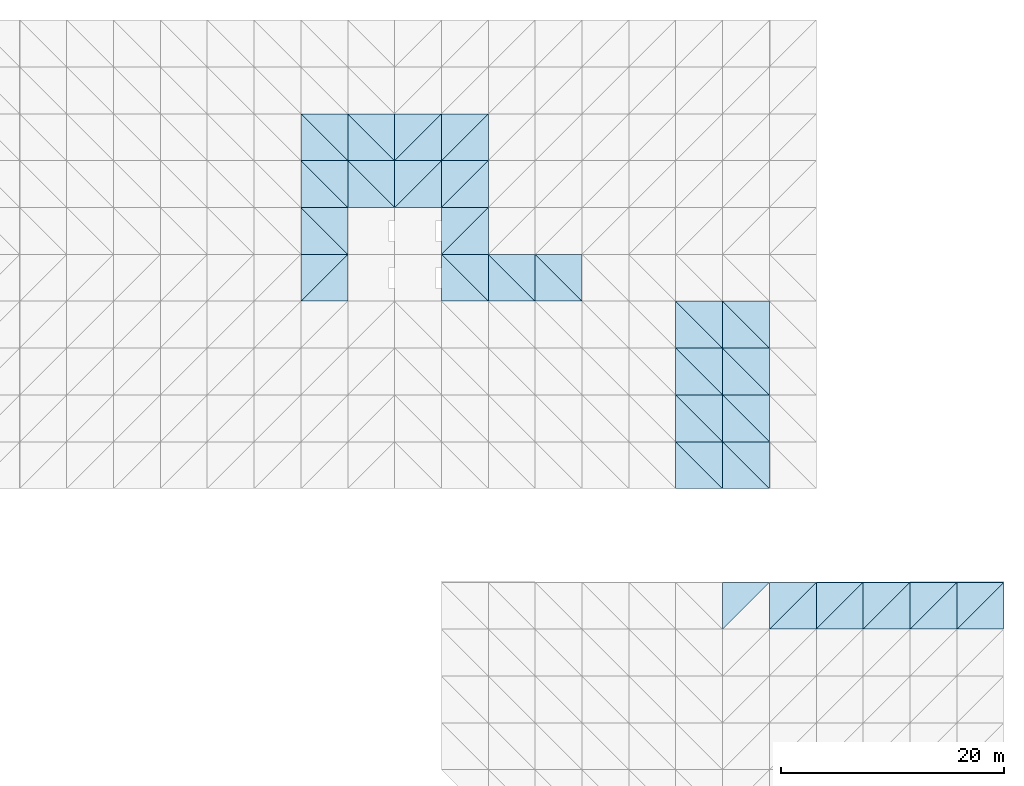
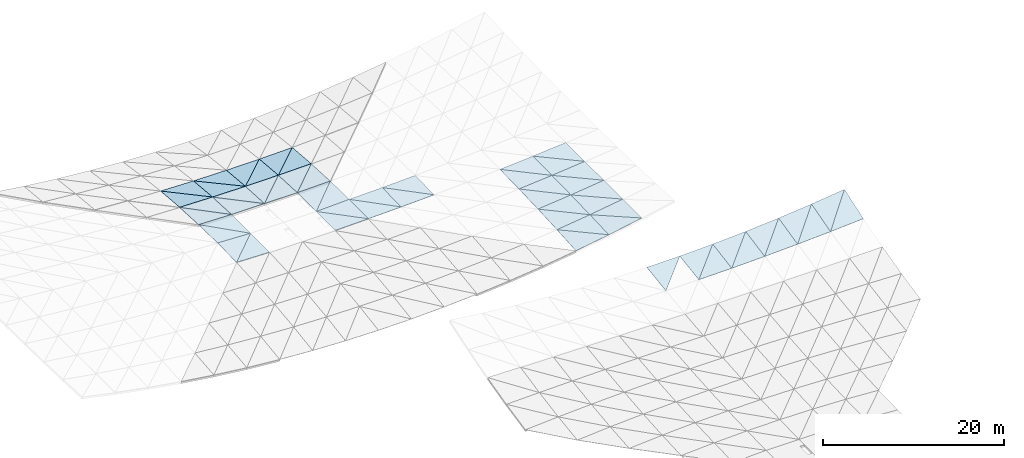
# One storey, part 51 of 64: 55 roofs.
"""IFC4 building model written with IfcOpenShell, lengths in metres."""

from ifc_helpers import new_model, si_unit, direction, frame, origin, place, context, subcontext, project, spatial, polyline, outline, extrude, material, layer, layer_set, type_object, element, save


model = new_model("IFC4")

# Units and contexts
model_context = context("Model", 3, precision=1e-05, world=origin(), true_north=direction((0.0, 1.0)))
body_context = subcontext(model_context, "Body", "Model", "MODEL_VIEW")
ifc_project = project(units=[si_unit("LENGTHUNIT", "METRE"), si_unit("AREAUNIT", "SQUARE_METRE"), si_unit("VOLUMEUNIT", "CUBIC_METRE"), si_unit("PLANEANGLEUNIT", "RADIAN"), si_unit("MASSUNIT", "GRAM", prefix="KILO")], contexts=[model_context])

# Site, building, storey
site_placement = place(None, origin())
site = spatial("IfcSite", under=ifc_project, at=site_placement, CompositionType="ELEMENT")
building_placement = place(site_placement, origin())
building = spatial("IfcBuilding", under=site, at=building_placement, Name="Cumbredor Promenade Congress Hotel", CompositionType="ELEMENT")
storey_placement = place(building_placement, frame((0.0, 0.0, 18.47998046875)))
storey = spatial("IfcBuildingStorey", under=building, at=storey_placement, Name="L05", CompositionType="ELEMENT", Elevation=18.47998046875)

# Roofs
ifc_material = material(Name="Standing-seam zinc-aluminium roofing", Category="aluminium")
ifc_layer = layer(ifc_material, 0.050048828125, Name="Standing-seam zinc-aluminium roofing", Category="aluminium")
ifc_layer_set = layer_set([ifc_layer], Name="Standing-seam zinc-aluminium roofing")
roof_type = type_object("IfcRoofType", Name="Sweeping Pavilion Standing-Seam Roof Skin 50mm", PredefinedType="FREEFORM", material=ifc_layer_set)
roof_1_placement = place(storey_placement, frame((163.800048828125, 67.199951171875, 2.449951171875), z_axis=(-0.01109796617, -0.146056135088, 0.989214051937), x_axis=(0.70268691564, 0.70268691564, 0.111634211501)))
element("IfcRoof", 1, at=roof_1_placement, inside=storey, type_object=roof_type, Name="Grand Ballroom Pavilion Standing-Seam Roof Skin 7.17.2", PredefinedType="FREEFORM", context=body_context, shape_type="SweptSolid", body=[
    extrude(outline(polyline([(0.0, 0.0), (5.976987870979672, 2.636779683484747e-16), (3.0204770280669506, 2.983429854259513), (0.0, 0.0)])), origin(), (0.0, 0.0, -1.0), 0.050048828125),
])
roof_2_placement = place(storey_placement, frame((168.0, 67.199951171875, 2.47509765625), z_axis=(-0.017651502768, -0.166371144595, 0.985905201678), x_axis=(0.999839764528, 0.0, 0.017900985146)))
element("IfcRoof", 2, at=roof_2_placement, inside=storey, type_object=roof_type, Name="Grand Ballroom Pavilion Standing-Seam Roof Skin 8.17.1", PredefinedType="FREEFORM", context=body_context, shape_type="SweptSolid", body=[
    extrude(outline(polyline([(0.0, 0.0), (4.200624260887441, 0.0), (4.213311409295685, 4.259312339124872), (0.0, 0.0)])), origin(), (0.0, 0.0, -1.0), 0.050048828125),
])
roof_3_placement = place(storey_placement, frame((168.0, 67.199951171875, 2.47509765625), z_axis=(-0.033366695852, -0.151040292754, 0.987964317965), x_axis=(0.701027278305, 0.701027278305, 0.130849188551)))
element("IfcRoof", 3, at=roof_3_placement, inside=storey, type_object=roof_type, Name="Grand Ballroom Pavilion Standing-Seam Roof Skin 8.17.2", PredefinedType="FREEFORM", context=body_context, shape_type="SweptSolid", body=[
    extrude(outline(polyline([(0.0, 0.0), (5.99113800825207, 5.134781488891349e-16), (3.028297274065045, 2.980148458293866), (0.0, 0.0)])), origin(), (0.0, 0.0, -1.0), 0.050048828125),
])
roof_4_placement = place(storey_placement, frame((172.199951171875, 67.199951171875, 2.55029296875), z_axis=(-0.0292557931, -0.191445803973, 0.981067073503), x_axis=(0.999555668784, 0.0, 0.02980713004)))
element("IfcRoof", 4, at=roof_4_placement, inside=storey, type_object=roof_type, Name="Grand Ballroom Pavilion Standing-Seam Roof Skin 9.17.1", PredefinedType="FREEFORM", context=body_context, shape_type="SweptSolid", body=[
    extrude(outline(polyline([(0.0, 0.0), (4.201818170851172, -3.469446951953614e-18), (4.2262475008184275, 4.279100905380816), (0.0, 0.0)])), origin(), (0.0, 0.0, -1.0), 0.050048828125),
])
roof_5_placement = place(storey_placement, frame((172.199951171875, 67.199951171875, 2.55029296875), z_axis=(-0.055342530466, -0.166142053717, 0.984547623179), x_axis=(0.698326858274, 0.698326858274, 0.157096142622)))
element("IfcRoof", 5, at=roof_5_placement, inside=storey, type_object=roof_type, Name="Grand Ballroom Pavilion Standing-Seam Roof Skin 9.17.2", PredefinedType="FREEFORM", context=body_context, shape_type="SweptSolid", body=[
    extrude(outline(polyline([(0.0, 0.0), (6.014305653739666, 6.938893903907228e-17), (3.044279063700337, 2.978970887449542), (0.0, 0.0)])), origin(), (0.0, 0.0, -1.0), 0.050048828125),
])
roof_6_placement = place(storey_placement, frame((176.39990234375, 67.199951171875, 2.675537109375), z_axis=(-0.040734177144, -0.225804932058, 0.973320532749), x_axis=(0.999125406809, 0.0, 0.041814130022)))
element("IfcRoof", 6, at=roof_6_placement, inside=storey, type_object=roof_type, Name="Grand Ballroom Pavilion Standing-Seam Roof Skin 10.17.1", PredefinedType="FREEFORM", context=body_context, shape_type="SweptSolid", body=[
    extrude(outline(polyline([(0.0, 0.0), (4.203871990320178, 0.0), (4.244614224919461, 4.311301140770926), (0.0, 0.0)])), origin(), (0.0, 0.0, -1.0), 0.050048828125),
])
roof_7_placement = place(storey_placement, frame((176.39990234375, 67.199951171875, 2.675537109375), z_axis=(-0.077016188966, -0.190958918263, 0.978572019921), x_axis=(0.694232294544, 0.694191941586, 0.190102786538)))
element("IfcRoof", 7, at=roof_7_placement, inside=storey, type_object=roof_type, Name="Grand Ballroom Pavilion Standing-Seam Roof Skin 10.17.2", PredefinedType="FREEFORM", context=body_context, shape_type="SweptSolid", body=[
    extrude(outline(polyline([(0.0, 0.0), (6.050129539505856, -2.914335439641036e-16), (3.0713767152118114, 2.979588297709647), (0.0, 0.0)])), origin(), (0.0, 0.0, -1.0), 0.050048828125),
])
roof_8_placement = place(storey_placement, frame((180.60009765625, 67.199951171875, 2.851318359375), z_axis=(-0.051660124766, -0.268811558307, 0.961806413801), x_axis=(0.998560647635, 0.0, 0.053634252073)))
element("IfcRoof", 8, at=roof_8_placement, inside=storey, type_object=roof_type, Name="Grand Ballroom Pavilion Standing-Seam Roof Skin 11.17.1", PredefinedType="FREEFORM", context=body_context, shape_type="SweptSolid", body=[
    extrude(outline(polyline([(0.0, 0.0), (4.206005095257487, 6.938893903907228e-18), (4.268962488804291, 4.360447073382843), (0.0, 0.0)])), origin(), (0.0, 0.0, -1.0), 0.050048828125),
])
roof_9_placement = place(storey_placement, frame((180.60009765625, 67.199951171875, 2.851318359375), z_axis=(-0.098109442037, -0.224902230425, 0.969429483837), x_axis=(0.688261938652, 0.688261938652, 0.229327293632)))
element("IfcRoof", 9, at=roof_9_placement, inside=storey, type_object=roof_type, Name="Grand Ballroom Pavilion Standing-Seam Roof Skin 11.17.2", PredefinedType="FREEFORM", context=body_context, shape_type="SweptSolid", body=[
    extrude(outline(polyline([(0.0, 0.0), (6.102256911224823, -2.0816681711721685e-16), (3.11411507800897, 2.9818223852218324), (0.0, 0.0)])), origin(), (0.0, 0.0, -1.0), 0.050048828125),
])
roof_10_placement = place(storey_placement, frame((184.800048828125, 67.199951171875, 3.076904296875), z_axis=(-0.06211809951, -0.31911112182, 0.945679350332), x_axis=(0.997849616578, 0.0, 0.065544966967)))
element("IfcRoof", 10, at=roof_10_placement, inside=storey, type_object=roof_type, Name="Grand Ballroom Pavilion Standing-Seam Roof Skin 12.17.1", PredefinedType="FREEFORM", context=body_context, shape_type="SweptSolid", body=[
    extrude(outline(polyline([(0.0, 0.0), (4.20900214029975, -2.7755575615628914e-17), (4.301894848611143, 4.431649760600898), (0.0, 0.0)])), origin(), (0.0, 0.0, -1.0), 0.050048828125),
])
roof_11_placement = place(storey_placement, frame((184.800048828125, 67.199951171875, 3.076904296875), z_axis=(-0.118242562971, -0.267282671727, 0.956336065249), x_axis=(0.680018566113, 0.680018566113, 0.274134090333)))
element("IfcRoof", 11, at=roof_11_placement, inside=storey, type_object=roof_type, Name="Grand Ballroom Pavilion Standing-Seam Roof Skin 12.17.2", PredefinedType="FREEFORM", context=body_context, shape_type="SweptSolid", body=[
    extrude(outline(polyline([(0.0, 0.0), (6.176230151892098, -2.498001805406602e-16), (3.1778310788979853, 2.986444700168626), (0.0, 0.0)])), origin(), (0.0, 0.0, -1.0), 0.050048828125),
])
roof_12_placement = place(storey_placement, frame((126.0, 96.60009765625, 1.69140625), z_axis=(0.023187393092, 0.0, 0.999731136257), x_axis=(0.999731136257, 0.0, -0.023187393092)))
element("IfcRoof", 12, at=roof_12_placement, inside=storey, type_object=roof_type, Name="Pre-Function and Breakout Meeting Forum Standing-Seam Roof Skin 10.5.1", PredefinedType="FREEFORM", context=body_context, shape_type="SweptSolid", body=[
    extrude(outline(polyline([(0.0, 0.0), (4.201080690154269, 0.0), (4.201080690154269, 4.199951171874999), (0.0, 0.0)])), origin(), (0.0, 0.0, -1.0), 0.050048828125),
])
roof_13_placement = place(storey_placement, frame((126.0, 96.60009765625, 1.69140625), z_axis=(0.040129277261, -0.016957668539, 0.999050588601), x_axis=(0.707011704328, 0.707011704328, -0.016398167182)))
element("IfcRoof", 13, at=roof_13_placement, inside=storey, type_object=roof_type, Name="Pre-Function and Breakout Meeting Forum Standing-Seam Roof Skin 10.5.2", PredefinedType="FREEFORM", context=body_context, shape_type="SweptSolid", body=[
    extrude(outline(polyline([(0.0, 0.0), (5.94042665229706, -1.48318857196017e-16), (2.968245626155902, 2.9722365113450633), (0.0, 0.0)])), origin(), (0.0, 0.0, -1.0), 0.050048828125),
])
roof_14_placement = place(storey_placement, frame((126.0, 100.800048828125, 1.7626953125), z_axis=(0.040129277261, 0.016957668539, 0.999050588601), x_axis=(0.999194264342, 0.0, -0.040135048344)))
element("IfcRoof", 14, at=roof_14_placement, inside=storey, type_object=roof_type, Name="Pre-Function and Breakout Meeting Forum Standing-Seam Roof Skin 10.6.1", PredefinedType="FREEFORM", context=body_context, shape_type="SweptSolid", body=[
    extrude(outline(polyline([(0.0, 0.0), (4.203337951143852, 4.336808689942018e-19), (0.002861189969830369, 4.200555176421122), (0.0, 0.0)])), origin(), (0.0, 0.0, -1.0), 0.050048828125),
])
roof_15_placement = place(storey_placement, frame((130.199951171875, 100.800048828125, 1.593994140625), z_axis=(0.023187393092, 0.0, 0.999731136257), x_axis=(0.0, 1.0, 0.0)))
element("IfcRoof", 15, at=roof_15_placement, inside=storey, type_object=roof_type, Name="Pre-Function and Breakout Meeting Forum Standing-Seam Roof Skin 10.6.2", PredefinedType="FREEFORM", context=body_context, shape_type="SweptSolid", body=[
    extrude(outline(polyline([(0.0, 0.0), (4.199951171875, 0.0), (4.199951171875, 4.201080690154269), (0.0, 0.0)])), origin(), (0.0, 0.0, -1.0), 0.050048828125),
])
roof_16_placement = place(storey_placement, frame((126.0, 105.0, 1.69140625), z_axis=(0.023157405261, 0.050841822076, 0.998438202249), x_axis=(0.999731136257, 0.0, -0.023187393092)))
element("IfcRoof", 16, at=roof_16_placement, inside=storey, type_object=roof_type, Name="Pre-Function and Breakout Meeting Forum Standing-Seam Roof Skin 10.7.1", PredefinedType="FREEFORM", context=body_context, shape_type="SweptSolid", body=[
    extrude(outline(polyline([(0.0, 0.0), (4.201080690154269, -8.673617379884035e-19), (0.004959022546103156, 4.2053899258117236), (0.0, 0.0)])), origin(), (0.0, 0.0, -1.0), 0.050048828125),
])
roof_17_placement = place(storey_placement, frame((130.199951171875, 105.0, 1.593994140625), z_axis=(0.019911822288, 0.047602607219, 0.998667868272), x_axis=(0.0, 0.998865903413, -0.047612046782)))
element("IfcRoof", 17, at=roof_17_placement, inside=storey, type_object=roof_type, Name="Pre-Function and Breakout Meeting Forum Standing-Seam Roof Skin 10.7.2", PredefinedType="FREEFORM", context=body_context, shape_type="SweptSolid", body=[
    extrude(outline(polyline([(0.0, 0.0), (4.204719730170034, 8.673617379884035e-19), (4.200732686213397, 4.200784019259721), (0.0, 0.0)])), origin(), (0.0, 0.0, -1.0), 0.050048828125),
])
roof_18_placement = place(storey_placement, frame((126.0, 109.199951171875, 1.4775390625), z_axis=(0.019863140669, 0.084490735382, 0.996226265101), x_axis=(0.999801289689, 0.0, -0.019934420878)))
element("IfcRoof", 18, at=roof_18_placement, inside=storey, type_object=roof_type, Name="Pre-Function and Breakout Meeting Forum Standing-Seam Roof Skin 10.8.1", PredefinedType="FREEFORM", context=body_context, shape_type="SweptSolid", body=[
    extrude(outline(polyline([(0.0, 0.0), (4.200785911348895, 0.0), (0.007100664077375966, 4.215022977582562), (0.0, 0.0)])), origin(), (0.0, 0.0, -1.0), 0.050048828125),
])
roof_19_placement = place(storey_placement, frame((130.199951171875, 109.199951171875, 1.393798828125), z_axis=(0.024021795727, 0.088620166887, 0.995775787691), x_axis=(0.0, 0.996063216643, -0.088645746944)))
element("IfcRoof", 19, at=roof_19_placement, inside=storey, type_object=roof_type, Name="Pre-Function and Breakout Meeting Forum Standing-Seam Roof Skin 10.8.2", PredefinedType="FREEFORM", context=body_context, shape_type="SweptSolid", body=[
    extrude(outline(polyline([(0.0, 0.0), (4.216550818964069, 0.0), (4.207569377318117, 4.201163480488064), (0.0, 0.0)])), origin(), (0.0, 0.0, -1.0), 0.050048828125),
])
roof_20_placement = place(storey_placement, frame((130.199951171875, 105.0, 1.593994140625), z_axis=(0.0, 0.047612046782, 0.998865903413), x_axis=(1.0, 0.0, 0.0)))
element("IfcRoof", 20, at=roof_20_placement, inside=storey, type_object=roof_type, Name="Pre-Function and Breakout Meeting Forum Standing-Seam Roof Skin 11.7.1", PredefinedType="FREEFORM", context=body_context, shape_type="SweptSolid", body=[
    extrude(outline(polyline([(0.0, 0.0), (4.199951171875, 0.0), (0.0, 4.204719730170034), (0.0, 0.0)])), origin(), (0.0, 0.0, -1.0), 0.050048828125),
])
roof_21_placement = place(storey_placement, frame((134.39990234375, 105.0, 1.593994140625), z_axis=(0.006616860946, 0.054211825646, 0.998507533828), x_axis=(0.0, 0.998529393298, -0.054213012459)))
element("IfcRoof", 21, at=roof_21_placement, inside=storey, type_object=roof_type, Name="Pre-Function and Breakout Meeting Forum Standing-Seam Roof Skin 11.7.2", PredefinedType="FREEFORM", context=body_context, shape_type="SweptSolid", body=[
    extrude(outline(polyline([(0.0, 0.0), (4.206136744761381, 0.0), (4.204627886504452, 4.200043117807773), (0.0, 0.0)])), origin(), (0.0, 0.0, -1.0), 0.050048828125),
])
roof_22_placement = place(storey_placement, frame((130.199951171875, 109.199951171875, 1.393798828125), z_axis=(0.006600519278, 0.088643815915, 0.996041518736), x_axis=(0.999978043808, 0.0, -0.00662660565)))
element("IfcRoof", 22, at=roof_22_placement, inside=storey, type_object=roof_type, Name="Pre-Function and Breakout Meeting Forum Standing-Seam Roof Skin 11.8.1", PredefinedType="FREEFORM", context=body_context, shape_type="SweptSolid", body=[
    extrude(outline(polyline([(0.0, 0.0), (4.20004338883513, 4.336808689942018e-19), (0.0024768880004626044, 4.216550091476726), (0.0, 0.0)])), origin(), (0.0, 0.0, -1.0), 0.050048828125),
])
roof_23_placement = place(storey_placement, frame((134.39990234375, 109.199951171875, 1.365966796875), z_axis=(0.008046875416, 0.090078691709, 0.995902142329), x_axis=(0.0, 0.995934387325, -0.090081608247)))
element("IfcRoof", 23, at=roof_23_placement, inside=storey, type_object=roof_type, Name="Pre-Function and Breakout Meeting Forum Standing-Seam Roof Skin 11.8.2", PredefinedType="FREEFORM", context=body_context, shape_type="SweptSolid", body=[
    extrude(outline(polyline([(0.0, 0.0), (4.2170962518499735, 4.336808689942018e-19), (4.214039283210725, 4.200087156526473), (0.0, 0.0)])), origin(), (0.0, 0.0, -1.0), 0.050048828125),
])
roof_24_placement = place(storey_placement, frame((134.39990234375, 105.0, 1.593994140625), z_axis=(0.0, 0.047612046782, 0.998865903413), x_axis=(1.0, 0.0, 0.0)))
element("IfcRoof", 24, at=roof_24_placement, inside=storey, type_object=roof_type, Name="Pre-Function and Breakout Meeting Forum Standing-Seam Roof Skin 12.7.1", PredefinedType="FREEFORM", context=body_context, shape_type="SweptSolid", body=[
    extrude(outline(polyline([(0.0, 0.0), (4.2001953125, 0.0), (4.2001953125, 4.204719730170034), (0.0, 0.0)])), origin(), (0.0, 0.0, -1.0), 0.050048828125),
])
roof_25_placement = place(storey_placement, frame((134.39990234375, 105.0, 1.593994140625), z_axis=(-0.006616476351, 0.054211825784, 0.998507536369), x_axis=(0.706726038844, 0.706684959675, -0.033684919313)))
element("IfcRoof", 25, at=roof_25_placement, inside=storey, type_object=roof_type, Name="Pre-Function and Breakout Meeting Forum Standing-Seam Roof Skin 12.7.2", PredefinedType="FREEFORM", context=body_context, shape_type="SweptSolid", body=[
    extrude(outline(polyline([(0.0, 0.0), (5.943173283055789, 2.393918396847994e-16), (2.9757234072067265, 2.9726514291847033), (0.0, 0.0)])), origin(), (0.0, 0.0, -1.0), 0.050048828125),
])
roof_26_placement = place(storey_placement, frame((134.39990234375, 109.199951171875, 1.365966796875), z_axis=(-0.006600135633, 0.088643816139, 0.996041521258), x_axis=(0.99997804636, 0.0, 0.006626220489)))
element("IfcRoof", 26, at=roof_26_placement, inside=storey, type_object=roof_type, Name="Pre-Function and Breakout Meeting Forum Standing-Seam Roof Skin 12.8.1", PredefinedType="FREEFORM", context=body_context, shape_type="SweptSolid", body=[
    extrude(outline(polyline([(0.0, 0.0), (4.200287524100044, 0.0), (4.197810780064894, 4.216550091561293), (0.0, 0.0)])), origin(), (0.0, 0.0, -1.0), 0.050048828125),
])
roof_27_placement = place(storey_placement, frame((134.39990234375, 109.199951171875, 1.365966796875), z_axis=(-0.008046407714, 0.090078692048, 0.995902146078), x_axis=(0.705931030968, 0.705889998008, -0.05814370326)))
element("IfcRoof", 27, at=roof_27_placement, inside=storey, type_object=roof_type, Name="Pre-Function and Breakout Meeting Forum Standing-Seam Roof Skin 12.8.2", PredefinedType="FREEFORM", context=body_context, shape_type="SweptSolid", body=[
    extrude(outline(polyline([(0.0, 0.0), (5.949866386724543, -6.487865800153259e-16), (2.9867913178735432, 2.9770754812134537), (0.0, 0.0)])), origin(), (0.0, 0.0, -1.0), 0.050048828125),
])
roof_28_placement = place(storey_placement, frame((138.60009765625, 96.60009765625, 1.593994140625), z_axis=(-0.023187393092, 0.0, 0.999731136257), x_axis=(0.999731136257, 0.0, 0.023187393092)))
element("IfcRoof", 28, at=roof_28_placement, inside=storey, type_object=roof_type, Name="Pre-Function and Breakout Meeting Forum Standing-Seam Roof Skin 13.5.1", PredefinedType="FREEFORM", context=body_context, shape_type="SweptSolid", body=[
    extrude(outline(polyline([(0.0, 0.0), (4.201080690154269, 0.0), (0.0, 4.199951171874999), (0.0, 0.0)])), origin(), (0.0, 0.0, -1.0), 0.050048828125),
])
roof_29_placement = place(storey_placement, frame((142.800048828125, 96.60009765625, 1.69140625), z_axis=(-0.040129277261, -0.016957668539, 0.999050588601), x_axis=(0.0, 0.999855976455, 0.016971339018)))
element("IfcRoof", 29, at=roof_29_placement, inside=storey, type_object=roof_type, Name="Pre-Function and Breakout Meeting Forum Standing-Seam Roof Skin 13.5.2", PredefinedType="FREEFORM", context=body_context, shape_type="SweptSolid", body=[
    extrude(outline(polyline([(0.0, 0.0), (4.200556150864587, 4.336808689942018e-19), (4.197693066083982, 4.203336976055063), (0.0, 0.0)])), origin(), (0.0, 0.0, -1.0), 0.050048828125),
])
roof_30_placement = place(storey_placement, frame((138.60009765625, 100.800048828125, 1.593994140625), z_axis=(-0.040129277261, 0.016957668539, 0.999050588601), x_axis=(0.999194264342, 0.0, 0.040135048344)))
element("IfcRoof", 30, at=roof_30_placement, inside=storey, type_object=roof_type, Name="Pre-Function and Breakout Meeting Forum Standing-Seam Roof Skin 13.6.1", PredefinedType="FREEFORM", context=body_context, shape_type="SweptSolid", body=[
    extrude(outline(polyline([(0.0, 0.0), (4.203337951143852, -4.336808689942018e-19), (4.200476761174022, 4.200555176421121), (0.0, 0.0)])), origin(), (0.0, 0.0, -1.0), 0.050048828125),
])
roof_31_placement = place(storey_placement, frame((138.60009765625, 100.800048828125, 1.593994140625), z_axis=(-0.023187393092, 0.0, 0.999731136257), x_axis=(0.707011704328, 0.707011704328, 0.016398167182)))
element("IfcRoof", 31, at=roof_31_placement, inside=storey, type_object=roof_type, Name="Pre-Function and Breakout Meeting Forum Standing-Seam Roof Skin 13.6.2", PredefinedType="FREEFORM", context=body_context, shape_type="SweptSolid", body=[
    extrude(outline(polyline([(0.0, 0.0), (5.94042665229706, 1.8648277366750676e-16), (2.9694146361210034, 2.9702132187646995), (0.0, 0.0)])), origin(), (0.0, 0.0, -1.0), 0.050048828125),
])
roof_32_placement = place(storey_placement, frame((138.60009765625, 105.0, 1.593994140625), z_axis=(-0.023157405261, 0.050841822076, 0.998438202249), x_axis=(0.999731136257, 0.0, 0.023187393092)))
element("IfcRoof", 32, at=roof_32_placement, inside=storey, type_object=roof_type, Name="Pre-Function and Breakout Meeting Forum Standing-Seam Roof Skin 13.7.1", PredefinedType="FREEFORM", context=body_context, shape_type="SweptSolid", body=[
    extrude(outline(polyline([(0.0, 0.0), (4.201080690154269, 8.673617379884035e-19), (4.196121667608166, 4.2053899258117236), (0.0, 0.0)])), origin(), (0.0, 0.0, -1.0), 0.050048828125),
])
roof_33_placement = place(storey_placement, frame((138.60009765625, 105.0, 1.593994140625), z_axis=(-0.019911822288, 0.047602607219, 0.998667868272), x_axis=(0.706970909739, 0.706970909739, -0.019602692783)))
element("IfcRoof", 33, at=roof_33_placement, inside=storey, type_object=roof_type, Name="Pre-Function and Breakout Meeting Forum Standing-Seam Roof Skin 13.7.2", PredefinedType="FREEFORM", context=body_context, shape_type="SweptSolid", body=[
    extrude(outline(polyline([(0.0, 0.0), (5.940769434802994, 1.2923689896027213e-16), (2.973167668049277, 2.9732040002239315), (0.0, 0.0)])), origin(), (0.0, 0.0, -1.0), 0.050048828125),
])
roof_34_placement = place(storey_placement, frame((138.60009765625, 109.199951171875, 1.393798828125), z_axis=(-0.019863140669, 0.084490735382, 0.996226265101), x_axis=(0.999801289689, 0.0, 0.019934420878)))
element("IfcRoof", 34, at=roof_34_placement, inside=storey, type_object=roof_type, Name="Pre-Function and Breakout Meeting Forum Standing-Seam Roof Skin 13.8.1", PredefinedType="FREEFORM", context=body_context, shape_type="SweptSolid", body=[
    extrude(outline(polyline([(0.0, 0.0), (4.200785911348895, 0.0), (4.193685247271518, 4.215022977582563), (0.0, 0.0)])), origin(), (0.0, 0.0, -1.0), 0.050048828125),
])
roof_35_placement = place(storey_placement, frame((138.60009765625, 109.199951171875, 1.393798828125), z_axis=(-0.024021795727, 0.088620166887, 0.995775787691), x_axis=(0.706364001027, 0.706364001027, -0.045823532241)))
element("IfcRoof", 35, at=roof_35_placement, inside=storey, type_object=roof_type, Name="Pre-Function and Breakout Meeting Forum Standing-Seam Roof Skin 13.8.2", PredefinedType="FREEFORM", context=body_context, shape_type="SweptSolid", body=[
    extrude(outline(polyline([(0.0, 0.0), (5.945873750318935, 1.3877787807814457e-16), (2.983822201543919, 2.979279422692702), (0.0, 0.0)])), origin(), (0.0, 0.0, -1.0), 0.050048828125),
])
roof_36_placement = place(storey_placement, frame((142.800048828125, 96.60009765625, 1.69140625), z_axis=(-0.02893215325, -0.016964234436, 0.999437414378), x_axis=(0.999581257099, 0.0, 0.028936317272)))
element("IfcRoof", 36, at=roof_36_placement, inside=storey, type_object=roof_type, Name="Pre-Function and Breakout Meeting Forum Standing-Seam Roof Skin 14.5.1", PredefinedType="FREEFORM", context=body_context, shape_type="SweptSolid", body=[
    extrude(outline(polyline([(0.0, 0.0), (4.2017106083662, 0.0), (0.0020628429305435854, 4.2005556443458), (0.0, 0.0)])), origin(), (0.0, 0.0, -1.0), 0.050048828125),
])
roof_37_placement = place(storey_placement, frame((147.0, 96.60009765625, 1.81298828125), z_axis=(-0.027539541497, -0.015570880003, 0.999499435393), x_axis=(0.0, 0.999878674477, 0.015576788046)))
element("IfcRoof", 37, at=roof_37_placement, inside=storey, type_object=roof_type, Name="Pre-Function and Breakout Meeting Forum Standing-Seam Roof Skin 14.5.2", PredefinedType="FREEFORM", context=body_context, shape_type="SweptSolid", body=[
    extrude(outline(polyline([(0.0, 0.0), (4.200460794977205, 2.168404344971009e-19), (4.198658207688648, 4.2015447552040674), (0.0, 0.0)])), origin(), (0.0, 0.0, -1.0), 0.050048828125),
])
roof_38_placement = place(storey_placement, frame((147.0, 96.60009765625, 1.81298828125), z_axis=(-0.040536050793, -0.015563985118, 0.999056850711), x_axis=(0.999177877283, 0.0, 0.040540961364)))
element("IfcRoof", 38, at=roof_38_placement, inside=storey, type_object=roof_type, Name="Pre-Function and Breakout Meeting Forum Standing-Seam Roof Skin 15.5.1", PredefinedType="FREEFORM", context=body_context, shape_type="SweptSolid", body=[
    extrude(outline(polyline([(0.0, 0.0), (4.203406888166709, 0.0), (0.0026525824329908325, 4.200459957426921), (0.0, 0.0)])), origin(), (0.0, 0.0, -1.0), 0.050048828125),
])
roof_39_placement = place(storey_placement, frame((151.199951171875, 96.60009765625, 1.9833984375), z_axis=(-0.038507672945, -0.013532862438, 0.999166663154), x_axis=(0.0, 0.999908290628, 0.013542907151)))
element("IfcRoof", 39, at=roof_39_placement, inside=storey, type_object=roof_type, Name="Pre-Function and Breakout Meeting Forum Standing-Seam Roof Skin 15.5.2", PredefinedType="FREEFORM", context=body_context, shape_type="SweptSolid", body=[
    extrude(outline(polyline([(0.0, 0.0), (4.200336382088273, -4.336808689942018e-19), (4.19814425624818, 4.20306856889318), (0.0, 0.0)])), origin(), (0.0, 0.0, -1.0), 0.050048828125),
])
roof_40_placement = place(storey_placement, frame((159.60009765625, 79.800048828125, 1.674072265625), z_axis=(-0.16120267828, -0.069928886354, 0.984440779005), x_axis=(0.986856624724, 0.0, 0.161598274246)))
element("IfcRoof", 40, at=roof_40_placement, inside=storey, type_object=roof_type, Name="Pre-Function and Breakout Meeting Forum Standing-Seam Roof Skin 18.1.1", PredefinedType="FREEFORM", context=body_context, shape_type="SweptSolid", body=[
    extrude(outline(polyline([(0.0, 0.0), (4.255887903727988, -1.3877787807814457e-17), (0.04821120388869025, 4.210257971707026), (0.0, 0.0)])), origin(), (0.0, 0.0, -1.0), 0.050048828125),
])
roof_41_placement = place(storey_placement, frame((163.800048828125, 79.800048828125, 2.36181640625), z_axis=(-0.129425237007, -0.037554630409, 0.990877771353), x_axis=(0.0, 0.999282553953, 0.037873174747)))
element("IfcRoof", 41, at=roof_41_placement, inside=storey, type_object=roof_type, Name="Pre-Function and Breakout Meeting Forum Standing-Seam Roof Skin 18.1.2", PredefinedType="FREEFORM", context=body_context, shape_type="SweptSolid", body=[
    extrude(outline(polyline([(0.0, 0.0), (4.202966573629487, 0.0), (4.182189956525699, 4.235575824634551), (0.0, 0.0)])), origin(), (0.0, 0.0, -1.0), 0.050048828125),
])
roof_42_placement = place(storey_placement, frame((159.60009765625, 84.0, 1.972412109375), z_axis=(-0.129322457173, -0.054733269591, 0.990090890409), x_axis=(0.99157725369, 0.0, 0.129516601118)))
element("IfcRoof", 42, at=roof_42_placement, inside=storey, type_object=roof_type, Name="Pre-Function and Breakout Meeting Forum Standing-Seam Roof Skin 18.2.1", PredefinedType="FREEFORM", context=body_context, shape_type="SweptSolid", body=[
    extrude(outline(polyline([(0.0, 0.0), (4.235626781722741, 3.469446951953614e-18), (0.030070871011631865, 4.206256303316561), (0.0, 0.0)])), origin(), (0.0, 0.0, -1.0), 0.050048828125),
])
roof_43_placement = place(storey_placement, frame((163.800048828125, 84.0, 2.52099609375), z_axis=(-0.104191620878, -0.029298475755, 0.994125598432), x_axis=(0.0, 0.999565994989, 0.029458812966)))
element("IfcRoof", 43, at=roof_43_placement, inside=storey, type_object=roof_type, Name="Pre-Function and Breakout Meeting Forum Standing-Seam Roof Skin 18.2.2", PredefinedType="FREEFORM", context=body_context, shape_type="SweptSolid", body=[
    extrude(outline(polyline([(0.0, 0.0), (4.201774763176752, 0.0), (4.188807419480887, 4.222935591482459), (0.0, 0.0)])), origin(), (0.0, 0.0, -1.0), 0.050048828125),
])
roof_44_placement = place(storey_placement, frame((159.60009765625, 88.199951171875, 2.20458984375), z_axis=(-0.104156150302, -0.039224640075, 0.993787162307), x_axis=(0.99455255237, 0.0, 0.104236368768)))
element("IfcRoof", 44, at=roof_44_placement, inside=storey, type_object=roof_type, Name="Pre-Function and Breakout Meeting Forum Standing-Seam Roof Skin 18.3.1", PredefinedType="FREEFORM", context=body_context, shape_type="SweptSolid", body=[
    extrude(outline(polyline([(0.0, 0.0), (4.222955500808863, -3.469446951953614e-18), (0.01727941757660322, 4.203185869420277), (0.0, 0.0)])), origin(), (0.0, 0.0, -1.0), 0.050048828125),
])
roof_45_placement = place(storey_placement, frame((163.800048828125, 88.199951171875, 2.644775390625), z_axis=(-0.086040902939, -0.020960166126, 0.996071099098), x_axis=(0.0, 0.999778672914, 0.021038184014)))
element("IfcRoof", 45, at=roof_45_placement, inside=storey, type_object=roof_type, Name="Pre-Function and Breakout Meeting Forum Standing-Seam Roof Skin 18.3.2", PredefinedType="FREEFORM", context=body_context, shape_type="SweptSolid", body=[
    extrude(outline(polyline([(0.0, 0.0), (4.200880940612829, 0.0), (4.19324843537724, 4.215584221572669), (0.0, 0.0)])), origin(), (0.0, 0.0, -1.0), 0.050048828125),
])
roof_46_placement = place(storey_placement, frame((159.60009765625, 92.39990234375, 2.370361328125), z_axis=(-0.086035797656, -0.023620837866, 0.996011996685), x_axis=(0.996289972461, 0.0, 0.086059809282)))
element("IfcRoof", 46, at=roof_46_placement, inside=storey, type_object=roof_type, Name="Pre-Function and Breakout Meeting Forum Standing-Seam Roof Skin 18.4.1", PredefinedType="FREEFORM", context=body_context, shape_type="SweptSolid", body=[
    extrude(outline(polyline([(0.0, 0.0), (4.215591131064376, -1.734723475976807e-18), (0.008572363815192349, 4.201367539898585), (0.0, 0.0)])), origin(), (0.0, 0.0, -1.0), 0.050048828125),
])
roof_47_placement = place(storey_placement, frame((163.800048828125, 92.39990234375, 2.733154296875), z_axis=(-0.075059244979, -0.012576764025, 0.997099761684), x_axis=(0.0, 0.999920461245, 0.012612342484)))
element("IfcRoof", 47, at=roof_47_placement, inside=storey, type_object=roof_type, Name="Pre-Function and Breakout Meeting Forum Standing-Seam Roof Skin 18.4.2", PredefinedType="FREEFORM", context=body_context, shape_type="SweptSolid", body=[
    extrude(outline(polyline([(0.0, 0.0), (4.200529417378815, 8.673617379884035e-19), (4.196541872574996, 4.211832430786519), (0.0, 0.0)])), origin(), (0.0, 0.0, -1.0), 0.050048828125),
])
roof_48_placement = place(storey_placement, frame((163.800048828125, 79.800048828125, 2.36181640625), z_axis=(-0.185453085958, -0.037216193304, 0.981948118724), x_axis=(0.982628847122, 0.0, 0.185581649962)))
element("IfcRoof", 48, at=roof_48_placement, inside=storey, type_object=roof_type, Name="Pre-Function and Breakout Meeting Forum Standing-Seam Roof Skin 19.1.1", PredefinedType="FREEFORM", context=body_context, shape_type="SweptSolid", body=[
    extrude(outline(polyline([(0.0, 0.0), (4.274198935003828, -3.469446951953614e-18), (0.02954082904672899, 4.202862757510173), (0.0, 0.0)])), origin(), (0.0, 0.0, -1.0), 0.050048828125),
])
roof_49_placement = place(storey_placement, frame((168.0, 79.800048828125, 3.155029296875), z_axis=(-0.148933498583, 0.000344886527, 0.98884715404), x_axis=(0.0, 0.999999939178, -0.000348776355)))
element("IfcRoof", 49, at=roof_49_placement, inside=storey, type_object=roof_type, Name="Pre-Function and Breakout Meeting Forum Standing-Seam Roof Skin 19.1.2", PredefinedType="FREEFORM", context=body_context, shape_type="SweptSolid", body=[
    extrude(outline(polyline([(0.0, 0.0), (4.1999514273264404, 0.0), (4.200172052213111, 4.24732062914271), (0.0, 0.0)])), origin(), (0.0, 0.0, -1.0), 0.050048828125),
])
roof_50_placement = place(storey_placement, frame((163.800048828125, 84.0, 2.52099609375), z_axis=(-0.148870302384, -0.029130545469, 0.988427561528), x_axis=(0.98884721285, 0.0, 0.14893350744)))
element("IfcRoof", 50, at=roof_50_placement, inside=storey, type_object=roof_type, Name="Pre-Function and Breakout Meeting Forum Standing-Seam Roof Skin 19.2.1", PredefinedType="FREEFORM", context=body_context, shape_type="SweptSolid", body=[
    extrude(outline(polyline([(0.0, 0.0), (4.247320634872833, 0.0), (0.01843488483208288, 4.201734322335277), (0.0, 0.0)])), origin(), (0.0, 0.0, -1.0), 0.050048828125),
])
roof_51_placement = place(storey_placement, frame((168.0, 84.0, 3.153564453125), z_axis=(-0.12003492741, 0.000230836399, 0.992769642423), x_axis=(0.0, 0.999999972968, -0.000232517578)))
element("IfcRoof", 51, at=roof_51_placement, inside=storey, type_object=roof_type, Name="Pre-Function and Breakout Meeting Forum Standing-Seam Roof Skin 19.2.2", PredefinedType="FREEFORM", context=body_context, shape_type="SweptSolid", body=[
    extrude(outline(polyline([(0.0, 0.0), (4.199951285408976, 1.3552527156068805e-20), (4.200069360741481, 4.230539370736154), (0.0, 0.0)])), origin(), (0.0, 0.0, -1.0), 0.050048828125),
])
roof_52_placement = place(storey_placement, frame((163.800048828125, 88.199951171875, 2.644775390625), z_axis=(-0.120008746289, -0.020886137575, 0.992553106927), x_axis=(0.992769668873, 0.0, 0.120034930608)))
element("IfcRoof", 52, at=roof_52_placement, inside=storey, type_object=roof_type, Name="Pre-Function and Breakout Meeting Forum Standing-Seam Roof Skin 19.3.1", PredefinedType="FREEFORM", context=body_context, shape_type="SweptSolid", body=[
    extrude(outline(polyline([(0.0, 0.0), (4.230539372383909, 0.0), (0.010608555878960724, 4.200867545608442), (0.0, 0.0)])), origin(), (0.0, 0.0, -1.0), 0.050048828125),
])
roof_53_placement = place(storey_placement, frame((168.0, 88.199951171875, 3.152587890625), z_axis=(-0.099142906927, 0.000231372011, 0.995073178451), x_axis=(0.0, 0.999999972968, -0.000232517578)))
element("IfcRoof", 53, at=roof_53_placement, inside=storey, type_object=roof_type, Name="Pre-Function and Breakout Meeting Forum Standing-Seam Roof Skin 19.3.2", PredefinedType="FREEFORM", context=body_context, shape_type="SweptSolid", body=[
    extrude(outline(polyline([(0.0, 0.0), (4.199951285408976, 0.0), (4.200048584024319, 4.220745920292968), (0.0, 0.0)])), origin(), (0.0, 0.0, -1.0), 0.050048828125),
])
roof_54_placement = place(storey_placement, frame((163.800048828125, 92.39990234375, 2.733154296875), z_axis=(-0.099135101379, -0.01255021387, 0.99499483607), x_axis=(0.995073205086, 0.0, 0.099142909581)))
element("IfcRoof", 54, at=roof_54_placement, inside=storey, type_object=roof_type, Name="Pre-Function and Breakout Meeting Forum Standing-Seam Roof Skin 19.4.1", PredefinedType="FREEFORM", context=body_context, shape_type="SweptSolid", body=[
    extrude(outline(polyline([(0.0, 0.0), (4.220745921414454, -8.673617379884035e-19), (0.005252444184330313, 4.200526133485529), (0.0, 0.0)])), origin(), (0.0, 0.0, -1.0), 0.050048828125),
])
roof_55_placement = place(storey_placement, frame((168.0, 92.39990234375, 3.151611328125), z_axis=(-0.086577137099, 0.000115815525, 0.996245143486), x_axis=(0.0, 0.999999993243, -0.000116252034)))
element("IfcRoof", 55, at=roof_55_placement, inside=storey, type_object=roof_type, Name="Pre-Function and Breakout Meeting Forum Standing-Seam Roof Skin 19.4.2", PredefinedType="FREEFORM", context=body_context, shape_type="SweptSolid", body=[
    extrude(outline(polyline([(0.0, 0.0), (4.200195340881844, 0.0), (4.200237771738844, 4.2157807954782145), (0.0, 0.0)])), origin(), (0.0, 0.0, -1.0), 0.050048828125),
])

save(model, "model.ifc")
